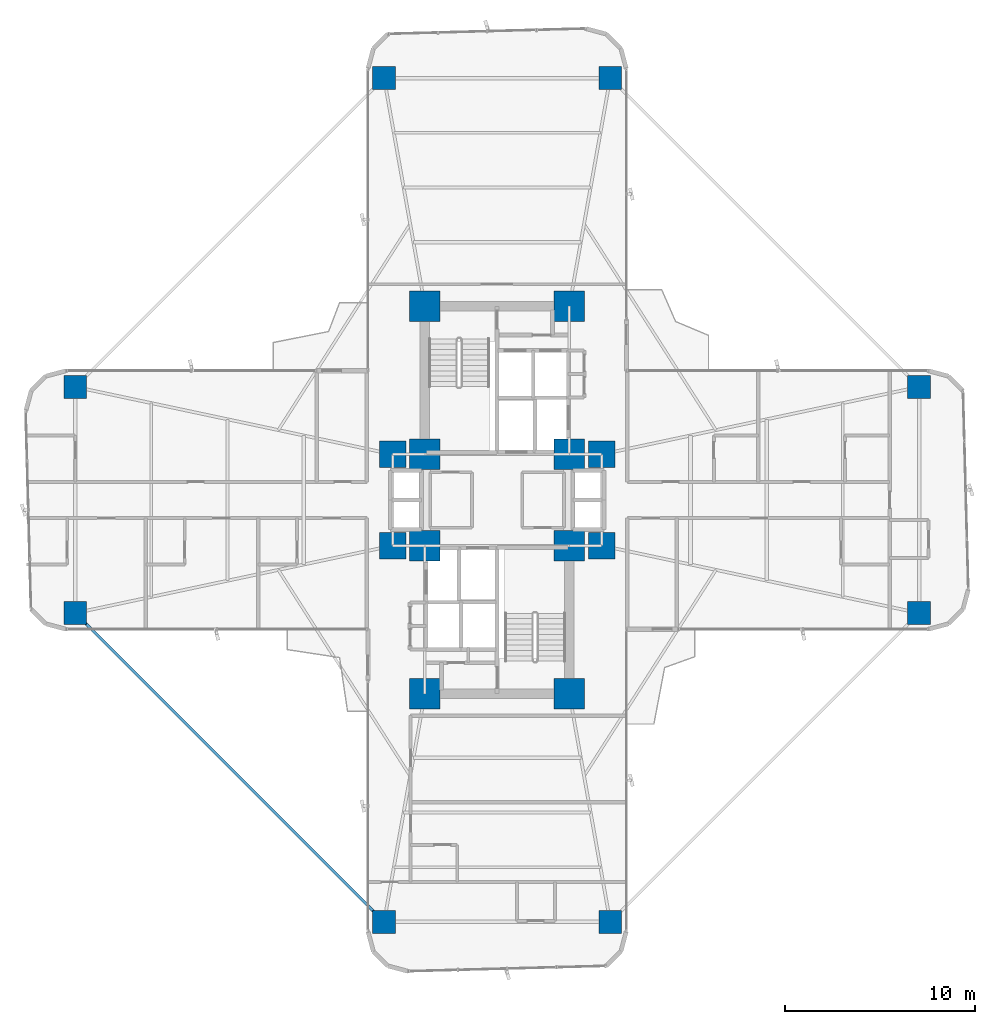
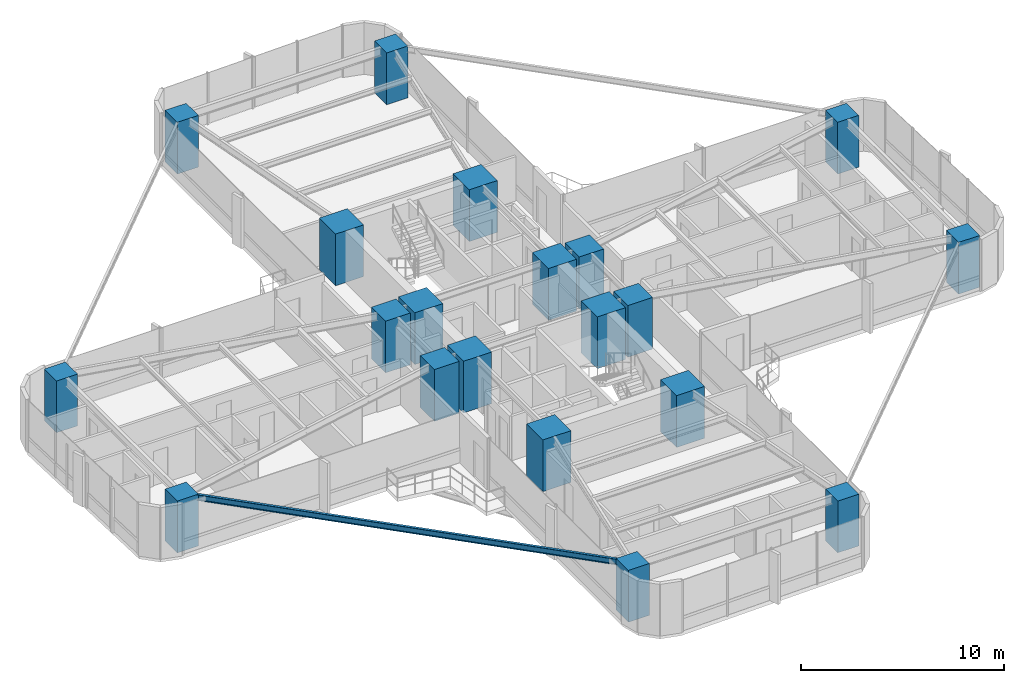
# One storey, part 1 of 25: 20 columns, 1 beam.
"""IFC4 building model written with IfcOpenShell, lengths in metres."""

import ifcopenshell
import ifcopenshell.guid

model = None  # the IFC model being written
_history = None  # IfcOwnerHistory: only IFC2X3 demands one
_inside = {}  # id of a spatial element -> (the spatial element, [elements in it])
_under = {}  # id of a project, library or spatial element -> (it, [spatial elements below it])
_declared = {}  # id of a project -> (the project, [libraries it declares])
_typed = {}  # id of a type object -> (the type object, [elements of that type])
_made_of = {}  # id of a material, layer set ... -> (it, [elements and type objects made of it])


def new_model(schema):
    """Start an empty IFC model of exactly this schema.

    Asked for "IFC4X3", IfcOpenShell would pick the latest addendum, in which some entities
    have other attributes; the version numbers below select the first issue.
    IFC2X3 requires an IfcOwnerHistory on every rooted entity: one is made here for all.
    """
    global model, _history
    if schema == "IFC4X3":
        model = ifcopenshell.file(schema_version=(4, 3, 0, 0))
    else:
        model = ifcopenshell.file(schema=schema)
    _inside.clear()
    _under.clear()
    _declared.clear()
    _typed.clear()
    _made_of.clear()
    _history = None
    if model.schema == "IFC2X3":
        org = make("IfcOrganization", Name="unknown")
        user = make(
            "IfcPersonAndOrganization",
            ThePerson=make("IfcPerson", FamilyName="unknown"),
            TheOrganization=org,
        )
        app = make(
            "IfcApplication",
            ApplicationDeveloper=org,
            Version="unknown",
            ApplicationFullName="unknown",
            ApplicationIdentifier="unknown",
        )
        _history = make(
            "IfcOwnerHistory",
            OwningUser=user,
            OwningApplication=app,
            ChangeAction="ADDED",
            CreationDate=0,
        )
    return model


def make(cls, **values):
    """One entity of the class cls with the attributes given. An attribute that is None is left unset."""
    return model.create_entity(
        cls, **{name: value for name, value in values.items() if value is not None}
    )


def rooted(cls, **values):
    """An entity with a GlobalId (a new one), such as an element, a storey or a relation."""
    return make(cls, GlobalId=ifcopenshell.guid.new(), OwnerHistory=_history, **values)


def si_unit(unit_type, name, prefix=None):
    """IfcSIUnit, for example si_unit("LENGTHUNIT", "METRE", prefix="MILLI")."""
    return make("IfcSIUnit", UnitType=unit_type, Prefix=prefix, Name=name)


def assignment(units):
    """IfcUnitAssignment: the units of a project."""
    return None if units is None else make("IfcUnitAssignment", Units=units)


def point(xyz):
    """IfcCartesianPoint."""
    return None if xyz is None else make("IfcCartesianPoint", Coordinates=xyz)


def direction(xyz):
    """IfcDirection."""
    return None if xyz is None else make("IfcDirection", DirectionRatios=xyz)


def frame(location, z_axis=None, x_axis=None):
    """IfcAxis2Placement3D, a coordinate frame: its origin and axes. An axis left out is left unset."""
    return make(
        "IfcAxis2Placement3D",
        Location=point(location),
        Axis=direction(z_axis),
        RefDirection=direction(x_axis),
    )


def frame_2d(location, x_axis=None):
    """IfcAxis2Placement2D, a coordinate frame in the plane: its origin and x axis."""
    return make(
        "IfcAxis2Placement2D", Location=point(location), RefDirection=direction(x_axis)
    )


def origin():
    """The frame at (0, 0, 0) with its axes left unset."""
    return frame((0.0, 0.0, 0.0))


def origin_2d():
    """The frame at (0, 0) in the plane with its x axis left unset."""
    return frame_2d((0.0, 0.0))


def place(relative_to, where):
    """IfcLocalPlacement: puts the frame where relative to a parent placement (None: the world)."""
    return make(
        "IfcLocalPlacement", PlacementRelTo=relative_to, RelativePlacement=where
    )


def context(
    kind, dimensions, precision=None, world=None, true_north=None, identifier=None
):
    """IfcGeometricRepresentationContext, for example the 3D "Model" context."""
    return make(
        "IfcGeometricRepresentationContext",
        ContextIdentifier=identifier,
        ContextType=kind,
        CoordinateSpaceDimension=dimensions,
        Precision=precision,
        WorldCoordinateSystem=world,
        TrueNorth=true_north,
    )


def subcontext(parent, identifier, kind, view, scale=None):
    """IfcGeometricRepresentationSubContext, for example "Body" below "Model"."""
    return make(
        "IfcGeometricRepresentationSubContext",
        ContextIdentifier=identifier,
        ContextType=kind,
        ParentContext=parent,
        TargetScale=scale,
        TargetView=view,
    )


def project(units=None, contexts=None):
    """IfcProject with its units and contexts."""
    return rooted(
        "IfcProject",
        Name="project",
        RepresentationContexts=contexts,
        UnitsInContext=assignment(units),
    )


def spatial(cls, under=None, at=None, **own):
    """A site, building, storey or space (cls), placed at a placement, below another one or the project."""
    s = rooted(cls, ObjectPlacement=at, **own)
    if under is not None:
        _under.setdefault(under.id(), (under, []))[1].append(s)
    return s


def profile(cls, at=None, kind="AREA", **sizes):
    """A parametric profile (cls). Its sizes go by their IFC names, for example OverallWidth=200.0."""
    return make(cls, ProfileType=kind, Position=at, **sizes)


def rectangle(**sizes):
    """IfcRectangleProfileDef."""
    return profile("IfcRectangleProfileDef", **sizes)


def i_section(**sizes):
    """IfcIShapeProfileDef."""
    return profile("IfcIShapeProfileDef", **sizes)


def extrude(swept, where, along, depth):
    """IfcExtrudedAreaSolid: the profile swept, set in the frame where, extruded along a direction by depth."""
    return make(
        "IfcExtrudedAreaSolid",
        SweptArea=swept,
        Position=where,
        ExtrudedDirection=direction(along),
        Depth=depth,
    )


def shape(context_of_items, identifier, shape_type, items):
    """IfcShapeRepresentation: the items that make up one representation, for example the "Body"."""
    return make(
        "IfcShapeRepresentation",
        ContextOfItems=context_of_items,
        RepresentationIdentifier=identifier,
        RepresentationType=shape_type,
        Items=items,
    )


def source(mapping_origin, context_of_items, identifier, shape_type, items):
    """IfcRepresentationMap: a shape defined once, which mapped items show again and again."""
    return make(
        "IfcRepresentationMap",
        MappingOrigin=mapping_origin,
        MappedRepresentation=shape(context_of_items, identifier, shape_type, items),
    )


def transform(
    local_origin,
    x_axis=None,
    y_axis=None,
    z_axis=None,
    scale=None,
    scale2=None,
    scale3=None,
    uniform=True,
):
    """IfcCartesianTransformationOperator3D, or its non-uniform kind. x_axis, y_axis, z_axis: its Axis1, 2, 3."""
    if uniform:
        return make(
            "IfcCartesianTransformationOperator3D",
            Axis1=direction(x_axis),
            Axis2=direction(y_axis),
            LocalOrigin=point(local_origin),
            Scale=scale,
            Axis3=direction(z_axis),
        )
    return make(
        "IfcCartesianTransformationOperator3DnonUniform",
        Axis1=direction(x_axis),
        Axis2=direction(y_axis),
        LocalOrigin=point(local_origin),
        Scale=scale,
        Axis3=direction(z_axis),
        Scale2=scale2,
        Scale3=scale3,
    )


def mapped(mapping_source, mapping_target):
    """IfcMappedItem: shows the shape of a source again, moved by a transform."""
    return make(
        "IfcMappedItem", MappingSource=mapping_source, MappingTarget=mapping_target
    )


def material(Name=None, Category=None):
    """IfcMaterial."""
    return make("IfcMaterial", Name=Name, Category=Category)


def material_profile(
    of_material, cross_section, Name=None, Category=None, Priority=None
):
    """IfcMaterialProfile: a cross section and its material."""
    return make(
        "IfcMaterialProfile",
        Name=Name,
        Material=of_material,
        Profile=cross_section,
        Priority=Priority,
        Category=Category,
    )


def profile_set(profiles, Name=None, composite=None):
    """IfcMaterialProfileSet."""
    return make(
        "IfcMaterialProfileSet",
        Name=Name,
        MaterialProfiles=profiles,
        CompositeProfile=composite,
    )


def made_of(thing, what):
    """Note that an element or type object is made of a material, layer set ...; save() writes the relation."""
    if what is not None:
        _made_of.setdefault(what.id(), (what, []))[1].append(thing)
    return thing


def type_object(cls, material=None, **own):
    """A type object (cls), such as IfcWallType, which elements share."""
    return made_of(rooted(cls, **own), material)


def element(
    cls,
    number,
    at=None,
    inside=None,
    cuts=None,
    type_object=None,
    material=None,
    context=None,
    identifier="Body",
    shape_type=None,
    held_by="IfcProductDefinitionShape",
    body=None,
    shapes=None,
    **own,
):
    """One element of the class cls, such as IfcWall. Its Tag is "e" and its number.

    at: its placement. inside: the storey or other place that contains it. cuts: it is an
    opening in that element (IfcRelVoidsElement). A single representation is given by context,
    identifier, shape_type and body (its items); several are given by shapes. held_by: the class
    of the entity that holds the representations. save() writes the other relations.
    """
    e = rooted(cls, Tag="e%d" % number, ObjectPlacement=at, **own)
    if body is not None:
        shapes = [shape(context, identifier, shape_type, body)]
    if shapes is not None:
        e.Representation = make(held_by, Representations=shapes)
    if inside is not None:
        _inside.setdefault(inside.id(), (inside, []))[1].append(e)
    if cuts is not None:
        rooted(
            "IfcRelVoidsElement", RelatingBuildingElement=cuts, RelatedOpeningElement=e
        )
    if type_object is not None:
        _typed.setdefault(type_object.id(), (type_object, []))[1].append(e)
    return made_of(e, material)


def aggregate(whole, parts):
    """IfcRelAggregates: a whole, such as a stair, and the parts it consists of."""
    return rooted("IfcRelAggregates", RelatingObject=whole, RelatedObjects=parts)


def save(model, path):
    """Write the relations noted so far, then the file.

    IfcRelAggregates (storeys below a building ...), IfcRelContainedInSpatialStructure (elements
    in a storey), IfcRelDefinesByType, IfcRelAssociatesMaterial and IfcRelDeclares: one each for
    every whole, place, type object, material and project.
    """
    for whole, parts in _under.values():
        aggregate(whole, parts)
    for where, things in _inside.values():
        rooted(
            "IfcRelContainedInSpatialStructure",
            RelatedElements=things,
            RelatingStructure=where,
        )
    for kind, things in _typed.values():
        rooted("IfcRelDefinesByType", RelatedObjects=things, RelatingType=kind)
    for what, things in _made_of.values():
        rooted("IfcRelAssociatesMaterial", RelatedObjects=things, RelatingMaterial=what)
    for by, libraries in _declared.values():
        rooted("IfcRelDeclares", RelatingContext=by, RelatedDefinitions=libraries)
    model.write(path)


model = new_model("IFC4")

# Units and contexts
model_context = context("Model", 3, precision=1e-05, world=origin(), true_north=direction((0.0, 1.0)))
body_context = subcontext(model_context, "Body", "Model", "MODEL_VIEW")
ifc_project = project(units=[si_unit("LENGTHUNIT", "METRE"), si_unit("AREAUNIT", "SQUARE_METRE"), si_unit("VOLUMEUNIT", "CUBIC_METRE"), si_unit("PLANEANGLEUNIT", "RADIAN"), si_unit("MASSUNIT", "GRAM", prefix="KILO")], contexts=[model_context])

# Site, building, storey
site_placement = place(None, origin())
site = spatial("IfcSite", under=ifc_project, at=site_placement, CompositionType="ELEMENT")
building_placement = place(site_placement, origin())
building = spatial("IfcBuilding", under=site, at=building_placement, Name="Sahyath Konkavel Grand Hotel", CompositionType="ELEMENT")
storey_placement = place(building_placement, frame((0.0, 0.0, 33.14990234375)))
storey = spatial("IfcBuildingStorey", under=building, at=storey_placement, Name="L08", CompositionType="ELEMENT", Elevation=33.14990234375)

# Columns
ifc_material_1 = material(Name="Concrete C70/85", Category="concrete")
ifc_material_profile_1 = material_profile(ifc_material_1, rectangle(XDim=1.60009765625, YDim=1.60009765625, at=origin_2d()), Name="RC 1600x1600")
ifc_profile_set_1 = profile_set([ifc_material_profile_1], Name="Concrete C70/85")
column_type_1 = type_object("IfcColumnType", Name="COL-RC1600", PredefinedType="COLUMN", material=ifc_profile_set_1)
shared_shape_1 = source(origin(), body_context, "Body", "SweptSolid", [
    extrude(rectangle(XDim=1.60009765625, YDim=1.60009765625, at=origin_2d()), origin(), (0.0, 0.0, 1.0), 3.110107421875),
])
for number, where, z_axis, x_axis, name in (
    (1, (-3.800048828125, 2.39990234375, 0.0), (0.0, 0.0, 1.0), (1.0, 0.0, 0.0), "L08 Core Boundary Column NC-SW"),
    (2, (3.800048828125, 2.39990234375, 0.0), (0.0, 0.0, 1.0), (1.0, 0.0, 0.0), "L08 Core Boundary Column NC-SE"),
    (3, (-3.800048828125, 10.199951171875, 0.0), (0.0, 0.0, 1.0), (1.0, 0.0, 0.0), "L08 Core Boundary Column NC-NW"),
    (4, (3.800048828125, 10.199951171875, 0.0), (0.0, 0.0, 1.0), (1.0, 0.0, 0.0), "L08 Core Boundary Column NC-NE"),
    (5, (-3.800048828125, -2.39990234375, 0.0), (0.0, 0.0, 1.0), (1.0, 0.0, 0.0), "L08 Core Boundary Column SC-NW"),
    (6, (3.800048828125, -2.39990234375, 0.0), (0.0, 0.0, 1.0), (1.0, 0.0, 0.0), "L08 Core Boundary Column SC-NE"),
    (7, (-3.800048828125, -10.199951171875, 0.0), (0.0, 0.0, 1.0), (1.0, 0.0, 0.0), "L08 Core Boundary Column SC-SW"),
    (8, (3.800048828125, -10.199951171875, 0.0), (0.0, 0.0, 1.0), (1.0, 0.0, 0.0), "L08 Core Boundary Column SC-SE"),
):
    element("IfcColumn", number, at=place(storey_placement, frame(where, z_axis=z_axis, x_axis=x_axis)), inside=storey, type_object=column_type_1, Name=name, PredefinedType="COLUMN", context=body_context, shape_type="MappedRepresentation", body=[
        mapped(shared_shape_1, transform((0.0, 0.0, 0.0), scale=1.0)),
    ])
ifc_material_profile_2 = material_profile(ifc_material_1, rectangle(XDim=1.39990234375, YDim=1.39990234375, at=origin_2d()), Name="RC 1400x1400")
ifc_profile_set_2 = profile_set([ifc_material_profile_2], Name="Concrete C70/85")
column_type_2 = type_object("IfcColumnType", Name="COL-RC1400", PredefinedType="COLUMN", material=ifc_profile_set_2)
shared_shape_2 = source(origin(), body_context, "Body", "SweptSolid", [
    extrude(rectangle(XDim=1.39990234375, YDim=1.39990234375, at=origin_2d()), origin(), (0.0, 0.0, 1.0), 3.110107421875),
])
for number, where, z_axis, x_axis, name in (
    (9, (5.5, 2.39990234375, 0.0), (0.0, 0.0, 1.0), (1.0, 0.0, 0.0), "L08 Central Spine Column HB-NE"),
    (10, (-5.5, 2.39990234375, 0.0), (0.0, 0.0, 1.0), (1.0, 0.0, 0.0), "L08 Central Spine Column HB-NW"),
    (11, (5.5, -2.39990234375, 0.0), (0.0, 0.0, 1.0), (1.0, 0.0, 0.0), "L08 Central Spine Column HB-SE"),
    (12, (-5.5, -2.39990234375, 0.0), (0.0, 0.0, 1.0), (1.0, 0.0, 0.0), "L08 Central Spine Column HB-SW"),
):
    element("IfcColumn", number, at=place(storey_placement, frame(where, z_axis=z_axis, x_axis=x_axis)), inside=storey, type_object=column_type_2, Name=name, PredefinedType="COLUMN", context=body_context, shape_type="MappedRepresentation", body=[
        mapped(shared_shape_2, transform((0.0, 0.0, 0.0), scale=1.0)),
    ])
ifc_material_2 = material(Name="Concrete C50/60", Category="concrete")
ifc_material_profile_3 = material_profile(ifc_material_2, rectangle(XDim=1.199951171875, YDim=1.199951171875, at=origin_2d()), Name="RC 1200x1200")
ifc_profile_set_3 = profile_set([ifc_material_profile_3], Name="Concrete C50/60")
column_type_3 = type_object("IfcColumnType", Name="COL-RC1200", PredefinedType="COLUMN", material=ifc_profile_set_3)
shared_shape_3 = source(origin(), body_context, "Body", "SweptSolid", [
    extrude(rectangle(XDim=1.199951171875, YDim=1.199951171875, at=origin_2d()), origin(), (0.0, 0.0, 1.0), 3.110107421875),
])
for number, where, z_axis, x_axis, name in (
    (13, (22.199951171875, -5.949951171875, 0.0), (0.0, 0.0, 1.0), (1.0, 0.0, 0.0), "L08 Cruciform Wing Column WC-EA"),
    (14, (22.199951171875, 5.949951171875, 0.0), (0.0, 0.0, 1.0), (1.0, 0.0, 0.0), "L08 Cruciform Wing Column WC-EB"),
    (15, (5.949951171875, 22.199951171875, 0.0), (0.0, 0.0, 1.0), (1.0, 0.0, 0.0), "L08 Cruciform Wing Column WC-NA"),
    (16, (-5.949951171875, 22.199951171875, 0.0), (0.0, 0.0, 1.0), (1.0, 0.0, 0.0), "L08 Cruciform Wing Column WC-NB"),
    (17, (-22.199951171875, 5.949951171875, 0.0), (0.0, 0.0, 1.0), (1.0, 0.0, 0.0), "L08 Cruciform Wing Column WC-WA"),
    (18, (-22.199951171875, -5.949951171875, 0.0), (0.0, 0.0, 1.0), (1.0, 0.0, 0.0), "L08 Cruciform Wing Column WC-WB"),
    (19, (-5.949951171875, -22.199951171875, 0.0), (0.0, 0.0, 1.0), (1.0, 0.0, 0.0), "L08 Cruciform Wing Column WC-SA"),
    (20, (5.949951171875, -22.199951171875, 0.0), (0.0, 0.0, 1.0), (1.0, 0.0, 0.0), "L08 Cruciform Wing Column WC-SB"),
):
    element("IfcColumn", number, at=place(storey_placement, frame(where, z_axis=z_axis, x_axis=x_axis)), inside=storey, type_object=column_type_3, Name=name, PredefinedType="COLUMN", context=body_context, shape_type="MappedRepresentation", body=[
        mapped(shared_shape_3, transform((0.0, 0.0, 0.0), scale=1.0)),
    ])

# Beam
ifc_material_3 = material(Name="Steel E350", Category="steel")
ifc_material_profile_4 = material_profile(ifc_material_3, i_section(OverallWidth=0.139892578125, OverallDepth=0.35009765625, WebThickness=0.008056640625, FlangeThickness=0.01416015625, FilletRadius=0.013916015625, at=origin_2d()), Name="ISMB 350")
ifc_profile_set_4 = profile_set([ifc_material_profile_4], Name="Steel E350")
beam_type = type_object("IfcBeamType", Name="BM-ISMB350", PredefinedType="BEAM", material=ifc_profile_set_4)
shared_shape_4 = source(origin(), body_context, "Body", "SweptSolid", [
    extrude(i_section(OverallWidth=0.139892578125, OverallDepth=0.35009765625, WebThickness=0.008056640625, FlangeThickness=0.01416015625, FilletRadius=0.013916015625, at=origin_2d()), origin(), (0.0, 0.0, 1.0), 22.98095703125),
])
beam_placement = place(storey_placement, frame((-22.199951171875, -5.949951171875, 2.93505859375), z_axis=(0.707106781187, -0.707106781187, 0.0), x_axis=(0.707106781187, 0.707106781187, 0.0)))
element("IfcBeam", 21, at=beam_placement, inside=storey, type_object=beam_type, Name="L08 Re-Entrant Tie Beam SW", PredefinedType="BEAM", context=body_context, shape_type="MappedRepresentation", body=[
    mapped(shared_shape_4, transform((0.0, 0.0, 0.0), scale=1.0)),
])

save(model, "model.ifc")
